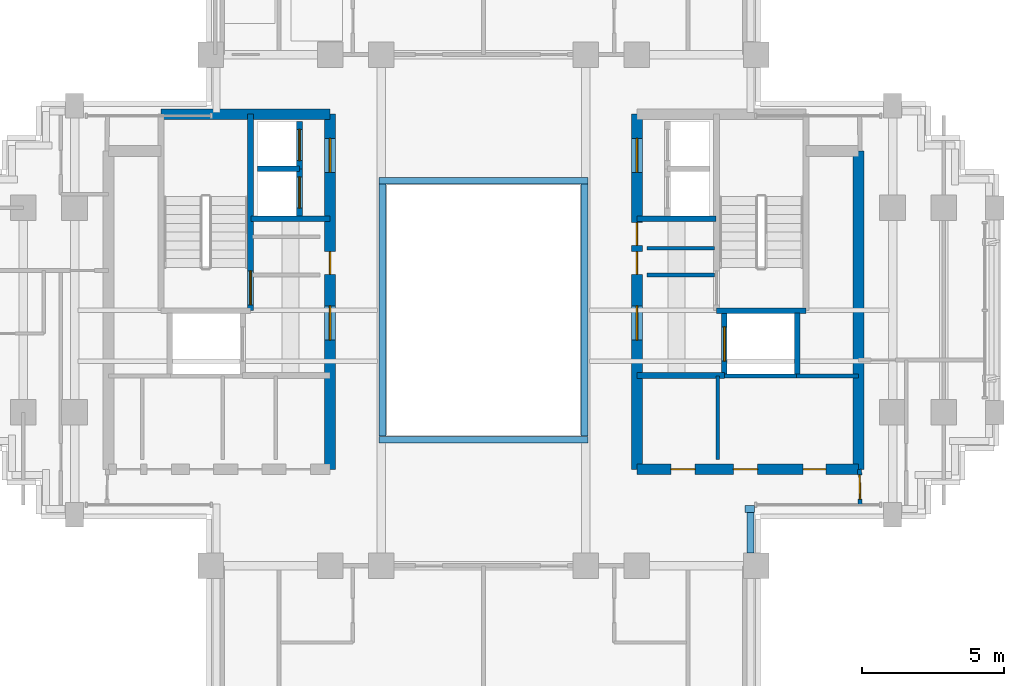
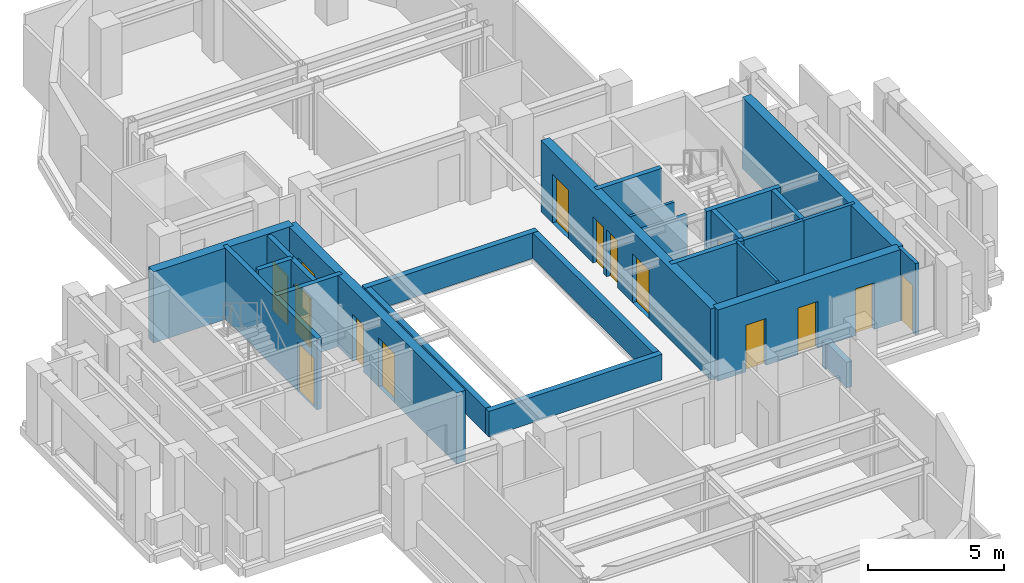
# One storey, part 7 of 12: 27 walls, 15 doors, 15 openings.
"""IFC4 building model written with IfcOpenShell, lengths in metres."""

from ifc_helpers import new_model, si_unit, direction, frame, frame_2d, origin, place, context, subcontext, project, spatial, rectangle, extrude, source, transform, mapped, material, layer, layer_set, type_object, element, fill, save


model = new_model("IFC4")

# Units and contexts
model_context = context("Model", 3, precision=1e-05, world=origin(), true_north=direction((0.0, 1.0)))
body_context = subcontext(model_context, "Body", "Model", "MODEL_VIEW")
ifc_project = project(units=[si_unit("LENGTHUNIT", "METRE"), si_unit("AREAUNIT", "SQUARE_METRE"), si_unit("VOLUMEUNIT", "CUBIC_METRE"), si_unit("PLANEANGLEUNIT", "RADIAN"), si_unit("MASSUNIT", "GRAM", prefix="KILO")], contexts=[model_context])

# Site, building, storey
site_placement = place(None, origin())
site = spatial("IfcSite", under=ifc_project, at=site_placement, CompositionType="ELEMENT")
building_placement = place(site_placement, origin())
building = spatial("IfcBuilding", under=site, at=building_placement, Name="Keilestroom Media Tower", CompositionType="ELEMENT")
storey_placement = place(building_placement, frame((0.0, 0.0, 184.199951171875)))
storey = spatial("IfcBuildingStorey", under=building, at=storey_placement, Name="L50", CompositionType="ELEMENT", Elevation=184.199951171875)

# Walls
ifc_material_1 = material(Name="Gypsum Plasterboard & Steel Stud", Category="steel")
ifc_layer_1 = layer(ifc_material_1, 0.1201171875)
ifc_layer_set_1 = layer_set([ifc_layer_1], Name="Gypsum Plasterboard & Steel Stud")
wall_type_1 = type_object("IfcWallType", Name="Interior-Partition-Wall-120", PredefinedType="PARTITIONING", material=ifc_layer_set_1)
wall_1_placement = place(storey_placement, frame((5.75, 2.179931640625, 0.0), z_axis=(0.0, 0.0, 1.0), x_axis=(1.0, 0.0, 0.0)))
element("IfcWall", 1, at=wall_1_placement, inside=storey, type_object=wall_type_1, Name="L50 Interior Wall WP-L50-CNE-N", PredefinedType="PARTITIONING", context=body_context, shape_type="SweptSolid", body=[
    extrude(rectangle(XDim=2.389892578125, YDim=0.1201171875, at=frame_2d((1.19482421875, 0.0))), origin(), (0.0, 0.0, 1.0), 2.300048828125),
])
wall_2_placement = place(storey_placement, frame((8.239990234375, -5.260009765625, 0.0), z_axis=(0.0, 0.0, 1.0), x_axis=(0.0, 1.0, 0.0)))
element("IfcWall", 2, at=wall_2_placement, inside=storey, type_object=wall_type_1, Name="L50 Interior Wall WP-L50-RECME-M", PredefinedType="PARTITIONING", context=body_context, shape_type="SweptSolid", body=[
    extrude(rectangle(XDim=2.93994140625, YDim=0.1201171875, at=frame_2d((1.469970703125, 0.0))), origin(), (0.0, 0.0, 1.0), 3.199951171875),
])
ifc_layer_2 = layer(ifc_material_1, 0.14990234375)
ifc_layer_set_2 = layer_set([ifc_layer_2], Name="Gypsum Plasterboard & Steel Stud")
wall_type_2 = type_object("IfcWallType", Name="Interior-Partition-Wall-150", PredefinedType="PARTITIONING", material=ifc_layer_set_2)
wall_3_placement = place(storey_placement, frame((5.75, 1.239990234375, 0.0), z_axis=(0.0, 0.0, 1.0), x_axis=(1.0, 0.0, 0.0)))
element("IfcWall", 3, at=wall_3_placement, inside=storey, type_object=wall_type_2, Name="L50 Interior Wall WP-L50-FFE-TOP", PredefinedType="PARTITIONING", context=body_context, shape_type="SweptSolid", body=[
    extrude(rectangle(XDim=2.389892578125, YDim=0.14990234375, at=frame_2d((1.19482421875, 0.0))), origin(), (0.0, 0.0, 1.0), 2.300048828125),
])
wall_4_placement = place(storey_placement, frame((11.02001953125, -2.320068359375, 0.0), z_axis=(0.0, 0.0, 1.0), x_axis=(1.0, 0.0, 0.0)))
element("IfcWall", 4, at=wall_4_placement, inside=storey, type_object=wall_type_2, Name="L50 Interior Wall WP-L50-RECLE-N", PredefinedType="PARTITIONING", context=body_context, shape_type="SweptSolid", body=[
    extrude(rectangle(XDim=2.179931640625, YDim=0.14990234375, at=frame_2d((1.08984375, 0.0))), origin(), (0.0, 0.0, 1.0), 3.199951171875),
])
wall_5_placement = place(storey_placement, frame((8.47998046875, -2.320068359375, 0.0), z_axis=(0.0, 0.0, 1.0), x_axis=(1.0, 0.0, 0.0)))
element("IfcWall", 5, at=wall_5_placement, inside=storey, type_object=wall_type_2, Name="L50 Interior Wall WP-L50-RECME-N", PredefinedType="PARTITIONING", context=body_context, shape_type="SweptSolid", body=[
    extrude(rectangle(XDim=2.56005859375, YDim=0.14990234375, at=frame_2d((1.280029296875, 0.0))), origin(), (0.0, 0.0, 1.0), 3.199951171875),
])

# Wall, opening, door
wall_6_placement = place(storey_placement, frame((13.260009765625, -6.85009765625, 0.0), z_axis=(0.0, 0.0, 1.0), x_axis=(-0.016013571389, 0.999871774545, 0.0)))
wall_6 = element("IfcWall", 6, at=wall_6_placement, inside=storey, type_object=wall_type_2, Name="L50 Interior Wall WP-L50-HEE-ENTS", PredefinedType="PARTITIONING", context=body_context, shape_type="SweptSolid", body=[
    extrude(rectangle(XDim=1.250244140625, YDim=0.14990234375, at=frame_2d((0.625, 0.0))), origin(), (0.0, 0.0, 1.0), 3.199951171875),
])
opening_1_placement = place(wall_6_placement, frame((0.199951171875, 0.0, 0.0)))
opening_1 = element("IfcOpeningElement", 7, at=opening_1_placement, cuts=wall_6, Name="Opening DI-05", PredefinedType="OPENING", context=body_context, shape_type="SweptSolid", body=[
    extrude(rectangle(XDim=0.85009765625, YDim=2.10009765625, at=frame_2d((0.425048828125, 1.050048828125))), frame((0.0, 0.0849609375, 0.0), z_axis=(0.0, -1.0, 0.0), x_axis=(1.0, 0.0, 0.0)), (0.0, 0.0, 1.0), 0.169921875),
])
ifc_material_2 = material(Name="Moisture-Resistant Oak Leaf", Category="wood")
door_type_1 = type_object("IfcDoorType", Name="Interior-En-Suite-And-Cupboard-Door-DI-05", OperationType="NOTDEFINED", PredefinedType="DOOR", material=ifc_material_2)
shared_shape_1 = source(origin(), body_context, "Body", "SweptSolid", [
    extrude(rectangle(XDim=0.85009765625, YDim=2.10009765625, at=frame_2d((0.425048828125, 1.050048828125))), frame((0.0, 0.02490234375, 0.0), z_axis=(0.0, -1.0, 0.0), x_axis=(1.0, 0.0, 0.0)), (0.0, 0.0, 1.0), 0.050048828125),
])
door_1_placement = place(opening_1_placement, origin())
door_1 = element("IfcDoor", 8, at=door_1_placement, inside=storey, type_object=door_type_1, Name="L50 Interior Door DI-L50-DHEE-ENTS", OperationType="SINGLE_SWING_LEFT", OverallHeight=2.10009765625, OverallWidth=0.85009765625, PredefinedType="DOOR", context=body_context, shape_type="MappedRepresentation", body=[
    mapped(shared_shape_1, transform((0.0, 0.0, 0.0), x_axis=(1.0, 0.0, 0.0), y_axis=(0.0, 1.0, 0.0), z_axis=(0.0, 0.0, 1.0), scale=1.0)),
])
fill(opening_1, door_1)

# Wall, openings, doors
ifc_material_3 = material(Name="Concrete C55/67", Category="concrete")
ifc_layer_3 = layer(ifc_material_3, 0.3798828125)
ifc_layer_set_3 = layer_set([ifc_layer_3], Name="Concrete C55/67")
wall_type_3 = type_object("IfcWallType", Name="Reinforced-Concrete-Core-Shear-Wall-380", PredefinedType="SHEAR", material=ifc_layer_set_3)
wall_7_placement = place(storey_placement, frame((-5.39990234375, -5.60009765625, 0.0), z_axis=(0.0, 0.0, 1.0), x_axis=(0.0, 1.0, 0.0)))
wall_7 = element("IfcWall", 9, at=wall_7_placement, inside=storey, type_object=wall_type_3, Name="L50 Core Shear Wall WL-L50-CORE-W-IN", PredefinedType="SHEAR", context=body_context, shape_type="SweptSolid", body=[
    extrude(rectangle(XDim=12.5, YDim=0.3798828125, at=frame_2d((6.25, 0.0))), origin(), (0.0, 0.0, 1.0), 3.199951171875),
])
opening_2_placement = place(wall_7_placement, frame((4.550048828125, 0.0, 0.0)))
opening_2 = element("IfcOpeningElement", 10, at=opening_2_placement, cuts=wall_7, Name="Opening DI-02", PredefinedType="OPENING", context=body_context, shape_type="SweptSolid", body=[
    extrude(rectangle(XDim=1.199951171875, YDim=2.199951171875, at=frame_2d((0.60009765625, 1.10009765625))), frame((0.0, 0.199951171875, 0.0), z_axis=(0.0, -1.0, 0.0), x_axis=(1.0, 0.0, 0.0)), (0.0, 0.0, 1.0), 0.39990234375),
])
opening_3_placement = place(wall_7_placement, frame((10.449951171875, 0.0, 0.0)))
opening_3 = element("IfcOpeningElement", 11, at=opening_3_placement, cuts=wall_7, Name="Opening DI-02", PredefinedType="OPENING", context=body_context, shape_type="SweptSolid", body=[
    extrude(rectangle(XDim=1.199951171875, YDim=2.199951171875, at=frame_2d((0.60009765625, 1.10009765625))), frame((0.0, 0.199951171875, 0.0), z_axis=(0.0, -1.0, 0.0), x_axis=(1.0, 0.0, 0.0)), (0.0, 0.0, 1.0), 0.39990234375),
])
opening_4_placement = place(wall_7_placement, frame((6.860107421875, 0.0, 0.0)))
opening_4 = element("IfcOpeningElement", 12, at=opening_4_placement, cuts=wall_7, Name="Opening DI-06", PredefinedType="OPENING", context=body_context, shape_type="SweptSolid", body=[
    extrude(rectangle(XDim=0.800048828125, YDim=2.10009765625, at=frame_2d((0.39990234375, 1.050048828125))), frame((0.0, 0.199951171875, 0.0), z_axis=(0.0, -1.0, 0.0), x_axis=(1.0, 0.0, 0.0)), (0.0, 0.0, 1.0), 0.39990234375),
])
ifc_material_4 = material(Name="Powder-Coated Steel Fire Leaf", Category="steel")
door_type_2 = type_object("IfcDoorType", Name="Interior-Compartment-Fire-Door-DI-02", OperationType="NOTDEFINED", PredefinedType="DOOR", material=ifc_material_4)
shared_shape_2 = source(origin(), body_context, "Body", "SweptSolid", [
    extrude(rectangle(XDim=1.199951171875, YDim=2.199951171875, at=frame_2d((0.60009765625, 1.10009765625))), frame((0.0, 0.02490234375, 0.0), z_axis=(0.0, -1.0, 0.0), x_axis=(1.0, 0.0, 0.0)), (0.0, 0.0, 1.0), 0.050048828125),
])
door_2_placement = place(opening_2_placement, origin())
door_2 = element("IfcDoor", 13, at=door_2_placement, inside=storey, type_object=door_type_2, Name="L50 W Firefighting Lobby Door", OperationType="SINGLE_SWING_RIGHT", OverallHeight=2.199951171875, OverallWidth=1.199951171875, PredefinedType="DOOR", context=body_context, shape_type="MappedRepresentation", body=[
    mapped(shared_shape_2, transform((0.0, 0.0, 0.0), x_axis=(1.0, 0.0, 0.0), y_axis=(0.0, 1.0, 0.0), z_axis=(0.0, 0.0, 1.0), scale=1.0)),
])
fill(opening_2, door_2)
door_3_placement = place(opening_3_placement, origin())
door_3 = element("IfcDoor", 14, at=door_3_placement, inside=storey, type_object=door_type_2, Name="L50 W High-Rise Lift Lobby Door", OperationType="SINGLE_SWING_LEFT", OverallHeight=2.199951171875, OverallWidth=1.199951171875, PredefinedType="DOOR", context=body_context, shape_type="MappedRepresentation", body=[
    mapped(shared_shape_2, transform((0.0, 0.0, 0.0), x_axis=(1.0, 0.0, 0.0), y_axis=(0.0, 1.0, 0.0), z_axis=(0.0, 0.0, 1.0), scale=1.0)),
])
fill(opening_3, door_3)
ifc_material_5 = material(Name="Powder-Coated Steel Service Leaf", Category="steel")
door_type_3 = type_object("IfcDoorType", Name="Interior-Riser-Access-Door-DI-06", OperationType="NOTDEFINED", PredefinedType="DOOR", material=ifc_material_5)
shared_shape_3 = source(origin(), body_context, "Body", "SweptSolid", [
    extrude(rectangle(XDim=0.800048828125, YDim=2.10009765625, at=frame_2d((0.39990234375, 1.050048828125))), frame((0.0, 0.02490234375, 0.0), z_axis=(0.0, -1.0, 0.0), x_axis=(1.0, 0.0, 0.0)), (0.0, 0.0, 1.0), 0.050048828125),
])
door_4_placement = place(opening_4_placement, origin())
door_4 = element("IfcDoor", 15, at=door_4_placement, inside=storey, type_object=door_type_3, Name="L50 West Core Switchroom Door", OperationType="SINGLE_SWING_LEFT", OverallHeight=2.10009765625, OverallWidth=0.800048828125, PredefinedType="DOOR", context=body_context, shape_type="MappedRepresentation", body=[
    mapped(shared_shape_3, transform((0.0, 0.0, 0.0), x_axis=(1.0, 0.0, 0.0), y_axis=(0.0, 1.0, 0.0), z_axis=(0.0, 0.0, 1.0), scale=1.0)),
])
fill(opening_4, door_4)

# Walls
wall_8_placement = place(storey_placement, frame((-11.35595703125, 6.89990234375, 0.0), z_axis=(0.0, 0.0, 1.0), x_axis=(1.0, 0.0, 0.0)))
element("IfcWall", 16, at=wall_8_placement, inside=storey, type_object=wall_type_3, Name="L50 Core Shear Wall WL-L50-CORE-W-N", PredefinedType="SHEAR", context=body_context, shape_type="SweptSolid", body=[
    extrude(rectangle(XDim=5.9560546875, YDim=0.3798828125, at=frame_2d((2.97802734375, 0.0))), origin(), (0.0, 0.0, 1.0), 3.199951171875),
])
wall_9_placement = place(storey_placement, frame((13.199951171875, -5.60009765625, 0.0), z_axis=(0.0, 0.0, 1.0), x_axis=(0.0, 1.0, 0.0)))
element("IfcWall", 17, at=wall_9_placement, inside=storey, type_object=wall_type_3, Name="L50 Core Shear Wall WL-L50-CORE-E-OUT", PredefinedType="SHEAR", context=body_context, shape_type="SweptSolid", body=[
    extrude(rectangle(XDim=11.2001953125, YDim=0.3798828125, at=frame_2d((5.60009765625, 0.0))), origin(), (0.0, 0.0, 1.0), 3.199951171875),
])

# Wall, openings, doors
wall_10_placement = place(storey_placement, frame((5.39990234375, -5.60009765625, 0.0), z_axis=(0.0, 0.0, 1.0), x_axis=(0.0, 1.0, 0.0)))
wall_10 = element("IfcWall", 18, at=wall_10_placement, inside=storey, type_object=wall_type_3, Name="L50 Core Shear Wall WL-L50-CORE-E-IN", PredefinedType="SHEAR", context=body_context, shape_type="SweptSolid", body=[
    extrude(rectangle(XDim=12.5, YDim=0.3798828125, at=frame_2d((6.25, 0.0))), origin(), (0.0, 0.0, 1.0), 3.199951171875),
])
opening_5_placement = place(wall_10_placement, frame((4.550048828125, 0.0, 0.0)))
opening_5 = element("IfcOpeningElement", 19, at=opening_5_placement, cuts=wall_10, Name="Opening DI-02", PredefinedType="OPENING", context=body_context, shape_type="SweptSolid", body=[
    extrude(rectangle(XDim=1.199951171875, YDim=2.199951171875, at=frame_2d((0.60009765625, 1.10009765625))), frame((0.0, 0.199951171875, 0.0), z_axis=(0.0, -1.0, 0.0), x_axis=(1.0, 0.0, 0.0)), (0.0, 0.0, 1.0), 0.39990234375),
])
opening_6_placement = place(wall_10_placement, frame((10.449951171875, 0.0, 0.0)))
opening_6 = element("IfcOpeningElement", 20, at=opening_6_placement, cuts=wall_10, Name="Opening DI-02", PredefinedType="OPENING", context=body_context, shape_type="SweptSolid", body=[
    extrude(rectangle(XDim=1.199951171875, YDim=2.199951171875, at=frame_2d((0.60009765625, 1.10009765625))), frame((0.0, 0.199951171875, 0.0), z_axis=(0.0, -1.0, 0.0), x_axis=(1.0, 0.0, 0.0)), (0.0, 0.0, 1.0), 0.39990234375),
])
opening_7_placement = place(wall_10_placement, frame((6.860107421875, 0.0, 0.0)))
opening_7 = element("IfcOpeningElement", 21, at=opening_7_placement, cuts=wall_10, Name="Opening DI-06", PredefinedType="OPENING", context=body_context, shape_type="SweptSolid", body=[
    extrude(rectangle(XDim=0.800048828125, YDim=2.10009765625, at=frame_2d((0.39990234375, 1.050048828125))), frame((0.0, 0.199951171875, 0.0), z_axis=(0.0, -1.0, 0.0), x_axis=(1.0, 0.0, 0.0)), (0.0, 0.0, 1.0), 0.39990234375),
])
opening_8_placement = place(wall_10_placement, frame((7.8798828125, 0.0, 0.0)))
opening_8 = element("IfcOpeningElement", 22, at=opening_8_placement, cuts=wall_10, Name="Opening DI-06", PredefinedType="OPENING", context=body_context, shape_type="SweptSolid", body=[
    extrude(rectangle(XDim=0.800048828125, YDim=2.10009765625, at=frame_2d((0.39990234375, 1.050048828125))), frame((0.0, 0.199951171875, 0.0), z_axis=(0.0, -1.0, 0.0), x_axis=(1.0, 0.0, 0.0)), (0.0, 0.0, 1.0), 0.39990234375),
])
door_5_placement = place(opening_5_placement, origin())
door_5 = element("IfcDoor", 23, at=door_5_placement, inside=storey, type_object=door_type_2, Name="L50 E Firefighting Lobby Door", OperationType="SINGLE_SWING_LEFT", OverallHeight=2.199951171875, OverallWidth=1.199951171875, PredefinedType="DOOR", context=body_context, shape_type="MappedRepresentation", body=[
    mapped(shared_shape_2, transform((0.0, 0.0, 0.0), x_axis=(1.0, 0.0, 0.0), y_axis=(0.0, 1.0, 0.0), z_axis=(0.0, 0.0, 1.0), scale=1.0)),
])
fill(opening_5, door_5)
door_6_placement = place(opening_6_placement, origin())
door_6 = element("IfcDoor", 24, at=door_6_placement, inside=storey, type_object=door_type_2, Name="L50 E High-Rise Lift Lobby Door", OperationType="SINGLE_SWING_RIGHT", OverallHeight=2.199951171875, OverallWidth=1.199951171875, PredefinedType="DOOR", context=body_context, shape_type="MappedRepresentation", body=[
    mapped(shared_shape_2, transform((0.0, 0.0, 0.0), x_axis=(1.0, 0.0, 0.0), y_axis=(0.0, 1.0, 0.0), z_axis=(0.0, 0.0, 1.0), scale=1.0)),
])
fill(opening_6, door_6)
door_7_placement = place(opening_7_placement, origin())
door_7 = element("IfcDoor", 25, at=door_7_placement, inside=storey, type_object=door_type_3, Name="L50 East Core Telecom Door", OperationType="SINGLE_SWING_RIGHT", OverallHeight=2.10009765625, OverallWidth=0.800048828125, PredefinedType="DOOR", context=body_context, shape_type="MappedRepresentation", body=[
    mapped(shared_shape_3, transform((0.0, 0.0, 0.0), x_axis=(1.0, 0.0, 0.0), y_axis=(0.0, 1.0, 0.0), z_axis=(0.0, 0.0, 1.0), scale=1.0)),
])
fill(opening_7, door_7)
door_8_placement = place(opening_8_placement, origin())
door_8 = element("IfcDoor", 26, at=door_8_placement, inside=storey, type_object=door_type_3, Name="L50 East Core Closet Door", OperationType="SINGLE_SWING_RIGHT", OverallHeight=2.10009765625, OverallWidth=0.800048828125, PredefinedType="DOOR", context=body_context, shape_type="MappedRepresentation", body=[
    mapped(shared_shape_3, transform((0.0, 0.0, 0.0), x_axis=(1.0, 0.0, 0.0), y_axis=(0.0, 1.0, 0.0), z_axis=(0.0, 0.0, 1.0), scale=1.0)),
])
fill(opening_8, door_8)

wall_11_placement = place(storey_placement, frame((5.39990234375, -5.60009765625, 0.0), z_axis=(0.0, 0.0, 1.0), x_axis=(1.0, 0.0, 0.0)))
wall_11 = element("IfcWall", 27, at=wall_11_placement, inside=storey, type_object=wall_type_3, Name="L50 Core Shear Wall WL-L50-CORE-E-S", PredefinedType="SHEAR", context=body_context, shape_type="SweptSolid", body=[
    extrude(rectangle(XDim=7.800048828125, YDim=0.3798828125, at=frame_2d((3.89990234375, 0.0))), origin(), (0.0, 0.0, 1.0), 3.199951171875),
])
opening_9_placement = place(wall_11_placement, frame((5.85009765625, 0.0, 0.0)))
opening_9 = element("IfcOpeningElement", 28, at=opening_9_placement, cuts=wall_11, Name="Opening DI-06", PredefinedType="OPENING", context=body_context, shape_type="SweptSolid", body=[
    extrude(rectangle(XDim=0.800048828125, YDim=2.10009765625, at=frame_2d((0.39990234375, 1.050048828125))), frame((0.0, 0.199951171875, 0.0), z_axis=(0.0, -1.0, 0.0), x_axis=(1.0, 0.0, 0.0)), (0.0, 0.0, 1.0), 0.39990234375),
])
opening_10_placement = place(wall_11_placement, frame((1.199951171875, 0.0, 0.0)))
opening_10 = element("IfcOpeningElement", 29, at=opening_10_placement, cuts=wall_11, Name="Opening DI-05", PredefinedType="OPENING", context=body_context, shape_type="SweptSolid", body=[
    extrude(rectangle(XDim=0.85009765625, YDim=2.10009765625, at=frame_2d((0.425048828125, 1.050048828125))), frame((0.0, 0.199951171875, 0.0), z_axis=(0.0, -1.0, 0.0), x_axis=(1.0, 0.0, 0.0)), (0.0, 0.0, 1.0), 0.39990234375),
])
opening_11_placement = place(wall_11_placement, frame((3.39990234375, 0.0, 0.0)))
opening_11 = element("IfcOpeningElement", 30, at=opening_11_placement, cuts=wall_11, Name="Opening DI-05", PredefinedType="OPENING", context=body_context, shape_type="SweptSolid", body=[
    extrude(rectangle(XDim=0.85009765625, YDim=2.10009765625, at=frame_2d((0.425048828125, 1.050048828125))), frame((0.0, 0.199951171875, 0.0), z_axis=(0.0, -1.0, 0.0), x_axis=(1.0, 0.0, 0.0)), (0.0, 0.0, 1.0), 0.39990234375),
])
door_9_placement = place(opening_9_placement, origin())
door_9 = element("IfcDoor", 31, at=door_9_placement, inside=storey, type_object=door_type_3, Name="L50 Reclaimed East Core Room Door", OperationType="SINGLE_SWING_RIGHT", OverallHeight=2.10009765625, OverallWidth=0.800048828125, PredefinedType="DOOR", context=body_context, shape_type="MappedRepresentation", body=[
    mapped(shared_shape_3, transform((0.0, 0.0, 0.0), x_axis=(1.0, 0.0, 0.0), y_axis=(0.0, 1.0, 0.0), z_axis=(0.0, 0.0, 1.0), scale=1.0)),
])
fill(opening_9, door_9)
door_10_placement = place(opening_10_placement, origin())
door_10 = element("IfcDoor", 32, at=door_10_placement, inside=storey, type_object=door_type_1, Name="L50 Reclaimed Mid East Room 1 Door", OperationType="SINGLE_SWING_RIGHT", OverallHeight=2.10009765625, OverallWidth=0.85009765625, PredefinedType="DOOR", context=body_context, shape_type="MappedRepresentation", body=[
    mapped(shared_shape_1, transform((0.0, 0.0, 0.0), x_axis=(1.0, 0.0, 0.0), y_axis=(0.0, 1.0, 0.0), z_axis=(0.0, 0.0, 1.0), scale=1.0)),
])
fill(opening_10, door_10)
door_11_placement = place(opening_11_placement, origin())
door_11 = element("IfcDoor", 33, at=door_11_placement, inside=storey, type_object=door_type_1, Name="L50 Reclaimed Mid East Room 2 Door", OperationType="SINGLE_SWING_RIGHT", OverallHeight=2.10009765625, OverallWidth=0.85009765625, PredefinedType="DOOR", context=body_context, shape_type="MappedRepresentation", body=[
    mapped(shared_shape_1, transform((0.0, 0.0, 0.0), x_axis=(1.0, 0.0, 0.0), y_axis=(0.0, 1.0, 0.0), z_axis=(0.0, 0.0, 1.0), scale=1.0)),
])
fill(opening_11, door_11)

# Wall
ifc_material_6 = material(Name="Concrete C50/60", Category="concrete")
ifc_layer_4 = layer(ifc_material_6, 0.199951171875)
ifc_layer_set_4 = layer_set([ifc_layer_4], Name="Concrete C50/60")
wall_type_4 = type_object("IfcWallType", Name="Reinforced-Concrete-Shaft-Wall-200", PredefinedType="SOLIDWALL", material=ifc_layer_set_4)
wall_12_placement = place(storey_placement, frame((-8.179931640625, 3.219970703125, 0.0), z_axis=(0.0, 0.0, 1.0), x_axis=(1.0, 0.0, 0.0)))
element("IfcWall", 34, at=wall_12_placement, inside=storey, type_object=wall_type_4, Name="L50 Core Shear Wall WL-L50-CORE-W-FFN", PredefinedType="SOLIDWALL", context=body_context, shape_type="SweptSolid", body=[
    extrude(rectangle(XDim=2.780029296875, YDim=0.199951171875, at=frame_2d((1.39013671875, 0.0))), origin(), (0.0, 0.0, 1.0), 3.199951171875),
])

# Wall, opening, door
wall_13_placement = place(storey_placement, frame((-8.2041015625, -0.01611328125, 0.0), z_axis=(0.0, 0.0, 1.0), x_axis=(0.0, 1.0, 0.0)))
wall_13 = element("IfcWall", 35, at=wall_13_placement, inside=storey, type_object=wall_type_4, Name="L50 Core Shear Wall WL-L50-STW-W-NEAR", PredefinedType="SOLIDWALL", context=body_context, shape_type="SweptSolid", body=[
    extrude(rectangle(XDim=6.916015625, YDim=0.199951171875, at=frame_2d((3.4580078125, 0.0))), origin(), (0.0, 0.0, 1.0), 3.199951171875),
])
opening_12_placement = place(wall_13_placement, frame((0.199951171875, 0.0, 0.0)))
opening_12 = element("IfcOpeningElement", 36, at=opening_12_placement, cuts=wall_13, Name="Opening DI-01S", PredefinedType="OPENING", context=body_context, shape_type="SweptSolid", body=[
    extrude(rectangle(XDim=1.199951171875, YDim=2.199951171875, at=frame_2d((0.60009765625, 1.10009765625))), frame((0.0, 0.10986328125, 0.0), z_axis=(0.0, -1.0, 0.0), x_axis=(1.0, 0.0, 0.0)), (0.0, 0.0, 1.0), 0.219970703125),
])
door_type_4 = type_object("IfcDoorType", Name="Interior-Stair-And-Core-Fire-Door-DI-01", OperationType="NOTDEFINED", PredefinedType="DOOR", material=ifc_material_4)
door_12_placement = place(opening_12_placement, origin())
door_12 = element("IfcDoor", 37, at=door_12_placement, inside=storey, type_object=door_type_4, Name="L50 Escape Stair ST-1 Fire Door", OperationType="SINGLE_SWING_LEFT", OverallHeight=2.199951171875, OverallWidth=1.199951171875, PredefinedType="DOOR", context=body_context, shape_type="MappedRepresentation", body=[
    mapped(shared_shape_2, transform((0.0, 0.0, 0.0), x_axis=(1.0, 0.0, 0.0), y_axis=(0.0, 1.0, 0.0), z_axis=(0.0, 0.0, 1.0), scale=1.0)),
])
fill(opening_12, door_12)

# Walls
wall_14_placement = place(storey_placement, frame((5.39990234375, 3.219970703125, 0.0), z_axis=(0.0, 0.0, 1.0), x_axis=(1.0, 0.0, 0.0)))
element("IfcWall", 38, at=wall_14_placement, inside=storey, type_object=wall_type_4, Name="L50 Core Shear Wall WL-L50-CORE-E-FFN", PredefinedType="SOLIDWALL", context=body_context, shape_type="SweptSolid", body=[
    extrude(rectangle(XDim=2.780029296875, YDim=0.199951171875, at=frame_2d((1.39013671875, 0.0))), origin(), (0.0, 0.0, 1.0), 3.199951171875),
])
wall_15_placement = place(storey_placement, frame((5.39990234375, -2.300048828125, 0.0), z_axis=(0.0, 0.0, 1.0), x_axis=(1.0, 0.0, 0.0)))
element("IfcWall", 39, at=wall_15_placement, inside=storey, type_object=wall_type_4, Name="L50 Core Shear Wall WL-L50-CORE-E-FFS", PredefinedType="SOLIDWALL", context=body_context, shape_type="SweptSolid", body=[
    extrude(rectangle(XDim=3.080078125, YDim=0.199951171875, at=frame_2d((1.5400390625, 0.0))), origin(), (0.0, 0.0, 1.0), 3.199951171875),
])
wall_16_placement = place(storey_placement, frame((8.2041015625, -0.01611328125, 0.0), z_axis=(0.0, 0.0, 1.0), x_axis=(1.0, 0.0, 0.0)))
element("IfcWall", 40, at=wall_16_placement, inside=storey, type_object=wall_type_4, Name="L50 Core Shear Wall WL-L50-STW-E-S", PredefinedType="SOLIDWALL", context=body_context, shape_type="SweptSolid", body=[
    extrude(rectangle(XDim=3.15185546875, YDim=0.199951171875, at=frame_2d((1.575927734375, 0.0))), origin(), (0.0, 0.0, 1.0), 3.199951171875),
])

# Wall, opening, door
wall_17_placement = place(storey_placement, frame((8.47998046875, -2.280029296875, 0.0), z_axis=(0.0, 0.0, 1.0), x_axis=(0.0, 1.0, 0.0)))
wall_17 = element("IfcWall", 41, at=wall_17_placement, inside=storey, type_object=wall_type_4, Name="L50 Core Shear Wall WL-L50-LSH-FFL-2-W", PredefinedType="SOLIDWALL", context=body_context, shape_type="SweptSolid", body=[
    extrude(rectangle(XDim=2.179931640625, YDim=0.199951171875, at=frame_2d((1.08984375, 0.0))), origin(), (0.0, 0.0, 1.0), 3.199951171875),
])
opening_13_placement = place(wall_17_placement, frame((0.489990234375, 0.0, 0.0)))
opening_13 = element("IfcOpeningElement", 42, at=opening_13_placement, cuts=wall_17, Name="Opening LD-02", PredefinedType="OPENING", context=body_context, shape_type="SweptSolid", body=[
    extrude(rectangle(XDim=1.199951171875, YDim=2.199951171875, at=frame_2d((0.60009765625, 1.10009765625))), frame((0.0, 0.10986328125, 0.0), z_axis=(0.0, -1.0, 0.0), x_axis=(1.0, 0.0, 0.0)), (0.0, 0.0, 1.0), 0.219970703125),
])
ifc_material_7 = material(Name="Brushed Stainless Steel Sliding Leaf", Category="steel")
door_type_5 = type_object("IfcDoorType", Name="Lift-Landing-Sliding-Door-LD-02", OperationType="SLIDING_TO_RIGHT", PredefinedType="DOOR", material=ifc_material_7)
door_13_placement = place(opening_13_placement, origin())
door_13 = element("IfcDoor", 43, at=door_13_placement, inside=storey, type_object=door_type_5, Name="L50 Lift FFL-2 Landing Sliding Door", OperationType="SLIDING_TO_RIGHT", OverallHeight=2.199951171875, OverallWidth=1.199951171875, PredefinedType="DOOR", context=body_context, shape_type="MappedRepresentation", body=[
    mapped(shared_shape_2, transform((0.0, 0.0, 0.0), x_axis=(1.0, 0.0, 0.0), y_axis=(0.0, 1.0, 0.0), z_axis=(0.0, 0.0, 1.0), scale=1.0)),
])
fill(opening_13, door_13)

# Wall
wall_18_placement = place(storey_placement, frame((11.050048828125, -2.280029296875, 0.0), z_axis=(0.0, 0.0, 1.0), x_axis=(0.0, 1.0, 0.0)))
element("IfcWall", 44, at=wall_18_placement, inside=storey, type_object=wall_type_4, Name="L50 Core Shear Wall WL-L50-LSH-FFL-2-E", PredefinedType="SOLIDWALL", context=body_context, shape_type="SweptSolid", body=[
    extrude(rectangle(XDim=2.179931640625, YDim=0.199951171875, at=frame_2d((1.08984375, 0.0))), origin(), (0.0, 0.0, 1.0), 3.199951171875),
])

# Wall, opening, door
wall_19_placement = place(storey_placement, frame((-6.47998046875, 3.300048828125, 0.0), z_axis=(0.0, 0.0, 1.0), x_axis=(0.0, 1.0, 0.0)))
wall_19 = element("IfcWall", 45, at=wall_19_placement, inside=storey, type_object=wall_type_4, Name="L50 Core Shear Wall WL-L50-LSH-PL-H1-E", PredefinedType="SOLIDWALL", context=body_context, shape_type="SweptSolid", body=[
    extrude(rectangle(XDim=1.679931640625, YDim=0.199951171875, at=frame_2d((0.83984375, 0.0))), origin(), (0.0, 0.0, 1.0), 3.199951171875),
])
opening_14_placement = place(wall_19_placement, frame((0.2900390625, 0.0, 0.0)))
opening_14 = element("IfcOpeningElement", 46, at=opening_14_placement, cuts=wall_19, Name="Opening LD-01", PredefinedType="OPENING", context=body_context, shape_type="SweptSolid", body=[
    extrude(rectangle(XDim=1.10009765625, YDim=2.199951171875, at=frame_2d((0.550048828125, 1.10009765625))), frame((0.0, 0.10986328125, 0.0), z_axis=(0.0, -1.0, 0.0), x_axis=(1.0, 0.0, 0.0)), (0.0, 0.0, 1.0), 0.219970703125),
])
door_type_6 = type_object("IfcDoorType", Name="Lift-Landing-Sliding-Door-LD-01", OperationType="SLIDING_TO_LEFT", PredefinedType="DOOR", material=ifc_material_7)
shared_shape_4 = source(origin(), body_context, "Body", "SweptSolid", [
    extrude(rectangle(XDim=1.10009765625, YDim=2.199951171875, at=frame_2d((0.550048828125, 1.10009765625))), frame((0.0, 0.02490234375, 0.0), z_axis=(0.0, -1.0, 0.0), x_axis=(1.0, 0.0, 0.0)), (0.0, 0.0, 1.0), 0.050048828125),
])
door_14_placement = place(opening_14_placement, origin())
door_14 = element("IfcDoor", 47, at=door_14_placement, inside=storey, type_object=door_type_6, Name="L50 Lift PL-H1 Landing Sliding Door", OperationType="SLIDING_TO_LEFT", OverallHeight=2.199951171875, OverallWidth=1.10009765625, PredefinedType="DOOR", context=body_context, shape_type="MappedRepresentation", body=[
    mapped(shared_shape_4, transform((0.0, 0.0, 0.0), x_axis=(1.0, 0.0, 0.0), y_axis=(0.0, 1.0, 0.0), z_axis=(0.0, 0.0, 1.0), scale=1.0)),
])
fill(opening_14, door_14)

# Wall
wall_20_placement = place(storey_placement, frame((-7.949951171875, 4.97998046875, 0.0), z_axis=(0.0, 0.0, 1.0), x_axis=(1.0, 0.0, 0.0)))
element("IfcWall", 48, at=wall_20_placement, inside=storey, type_object=wall_type_4, Name="L50 Core Shear Wall WL-L50-LSH-PL-H1-N", PredefinedType="SOLIDWALL", context=body_context, shape_type="SweptSolid", body=[
    extrude(rectangle(XDim=1.469970703125, YDim=0.199951171875, at=frame_2d((0.73486328125, 0.0))), origin(), (0.0, 0.0, 1.0), 3.199951171875),
])

# Wall, opening, door
wall_21_placement = place(storey_placement, frame((-6.47998046875, 4.97998046875, 0.0), z_axis=(0.0, 0.0, 1.0), x_axis=(0.0, 1.0, 0.0)))
wall_21 = element("IfcWall", 49, at=wall_21_placement, inside=storey, type_object=wall_type_4, Name="L50 Core Shear Wall WL-L50-LSH-PL-H2-E", PredefinedType="SOLIDWALL", context=body_context, shape_type="SweptSolid", body=[
    extrude(rectangle(XDim=1.669921875, YDim=0.199951171875, at=frame_2d((0.8349609375, 0.0))), origin(), (0.0, 0.0, 1.0), 3.199951171875),
])
opening_15_placement = place(wall_21_placement, frame((0.284912109375, 0.0, 0.0)))
opening_15 = element("IfcOpeningElement", 50, at=opening_15_placement, cuts=wall_21, Name="Opening LD-01", PredefinedType="OPENING", context=body_context, shape_type="SweptSolid", body=[
    extrude(rectangle(XDim=1.10009765625, YDim=2.199951171875, at=frame_2d((0.550048828125, 1.10009765625))), frame((0.0, 0.10986328125, 0.0), z_axis=(0.0, -1.0, 0.0), x_axis=(1.0, 0.0, 0.0)), (0.0, 0.0, 1.0), 0.219970703125),
])
door_15_placement = place(opening_15_placement, origin())
door_15 = element("IfcDoor", 51, at=door_15_placement, inside=storey, type_object=door_type_6, Name="L50 Lift PL-H2 Landing Sliding Door", OperationType="SLIDING_TO_LEFT", OverallHeight=2.199951171875, OverallWidth=1.10009765625, PredefinedType="DOOR", context=body_context, shape_type="MappedRepresentation", body=[
    mapped(shared_shape_4, transform((0.0, 0.0, 0.0), x_axis=(1.0, 0.0, 0.0), y_axis=(0.0, 1.0, 0.0), z_axis=(0.0, 0.0, 1.0), scale=1.0)),
])
fill(opening_15, door_15)

# Walls
ifc_material_8 = material(Name="Precast concrete C40/50", Category="concrete")
ifc_layer_5 = layer(ifc_material_8, 0.239990234375)
ifc_layer_set_5 = layer_set([ifc_layer_5], Name="Precast concrete C40/50")
wall_type_5 = type_object("IfcWallType", Name="Roof-And-Terrace-Parapet-Wall-240", PredefinedType="PARAPET", material=ifc_layer_set_5)
wall_22_placement = place(storey_placement, frame((9.547119140625, -7.0, 0.0), z_axis=(0.0, 0.0, 1.0), x_axis=(-1.0, 0.0, 0.0)))
element("IfcWall", 52, at=wall_22_placement, inside=storey, type_object=wall_type_5, Name="L50 Perimeter Edge Parapet Wall 07", PredefinedType="PARAPET", context=body_context, shape_type="SweptSolid", body=[
    extrude(rectangle(XDim=0.34716796875, YDim=0.239990234375, at=frame_2d((0.173583984375, 0.0))), origin(), (0.0, 0.0, 1.0), 1.150146484375),
])
wall_23_placement = place(storey_placement, frame((9.39990234375, -7.123046875, 0.0), z_axis=(0.0, 0.0, 1.0), x_axis=(0.0, -1.0, 0.0)))
element("IfcWall", 53, at=wall_23_placement, inside=storey, type_object=wall_type_5, Name="L50 Perimeter Edge Parapet Wall 08", PredefinedType="PARAPET", context=body_context, shape_type="SweptSolid", body=[
    extrude(rectangle(XDim=1.424072265625, YDim=0.239990234375, at=frame_2d((0.7119140625, 0.0))), origin(), (0.0, 0.0, 1.0), 1.150146484375),
])
for number, where, z_axis, x_axis, name in (
    (54, (-3.679931640625, -4.56005859375, 0.0), (0.0, 0.0, 1.0), (1.0, 0.0, 0.0), "L50 Central Atrium Guard Parapet S"),
    (55, (-3.679931640625, 4.56005859375, 0.0), (0.0, 0.0, 1.0), (1.0, 0.0, 0.0), "L50 Central Atrium Guard Parapet N"),
):
    element("IfcWall", number, at=place(storey_placement, frame(where, z_axis=z_axis, x_axis=x_axis)), inside=storey, type_object=wall_type_5, Name=name, PredefinedType="PARAPET", context=body_context, shape_type="SweptSolid", body=[
        extrude(rectangle(XDim=7.35986328125, YDim=0.239990234375, at=frame_2d((3.679931640625, 0.0))), origin(), (0.0, 0.0, 1.0), 1.150146484375),
    ])
for number, where, z_axis, x_axis, name in (
    (56, (-3.56005859375, -4.43505859375, 0.0), (0.0, 0.0, 1.0), (0.0, 1.0, 0.0), "L50 Central Atrium Guard Parapet W"),
    (57, (3.56005859375, -4.43505859375, 0.0), (0.0, 0.0, 1.0), (0.0, 1.0, 0.0), "L50 Central Atrium Guard Parapet E"),
):
    element("IfcWall", number, at=place(storey_placement, frame(where, z_axis=z_axis, x_axis=x_axis)), inside=storey, type_object=wall_type_5, Name=name, PredefinedType="PARAPET", context=body_context, shape_type="SweptSolid", body=[
        extrude(rectangle(XDim=8.8701171875, YDim=0.239990234375, at=frame_2d((4.43505859375, 0.0))), origin(), (0.0, 0.0, 1.0), 1.150146484375),
    ])

save(model, "model.ifc")
